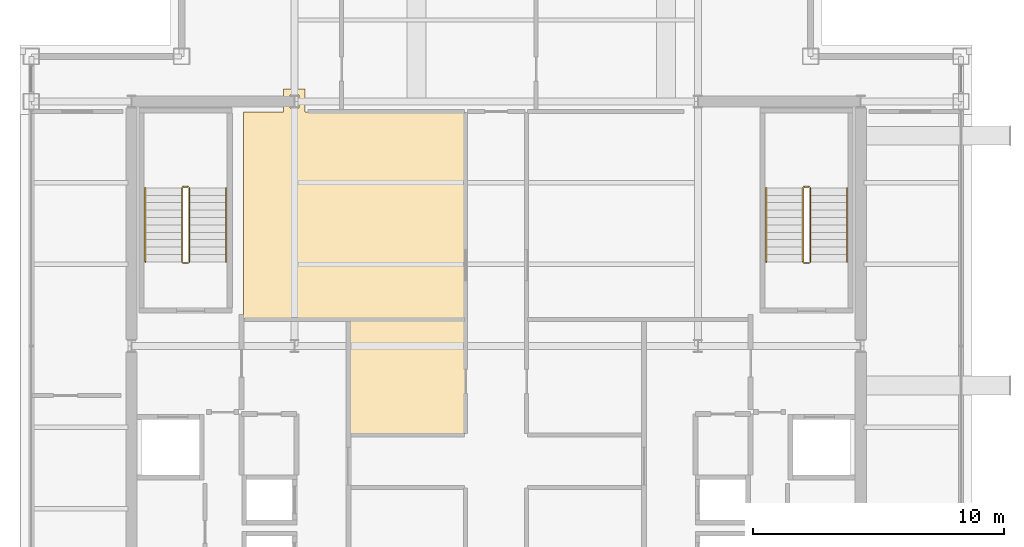
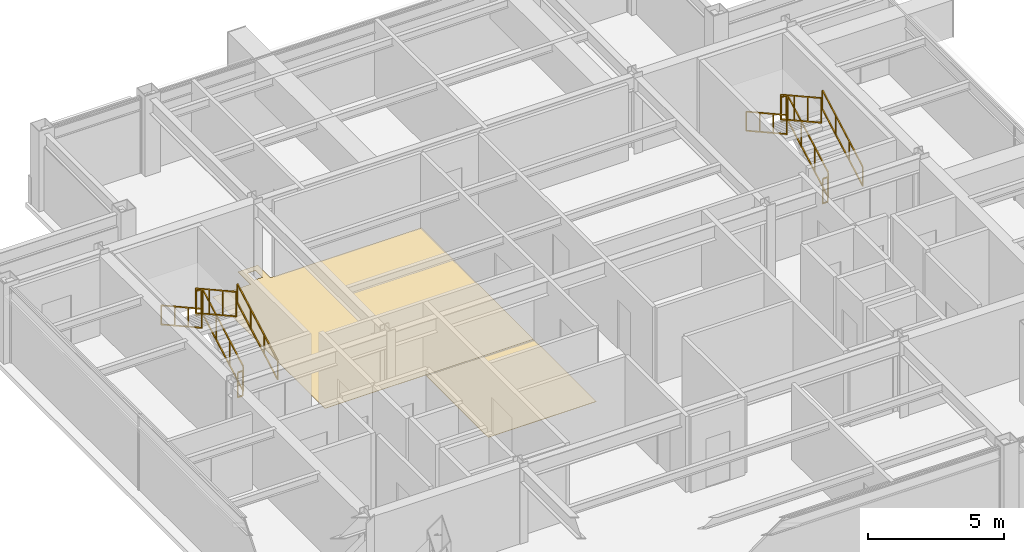
# One storey, part 20 of 20: 12 railings, 2 coverings.
"""IFC4 building model written with IfcOpenShell, lengths in metres."""

from ifc_helpers import new_model, si_unit, direction, frame, origin, origin_2d, place, context, subcontext, project, spatial, polyline, rectangle, outline, extrude, material, layer, layer_set, type_object, element, save


model = new_model("IFC4")

# Units and contexts
model_context = context("Model", 3, precision=1e-05, world=origin(), true_north=direction((0.0, 1.0)))
body_context = subcontext(model_context, "Body", "Model", "MODEL_VIEW")
ifc_project = project(units=[si_unit("LENGTHUNIT", "METRE"), si_unit("AREAUNIT", "SQUARE_METRE"), si_unit("VOLUMEUNIT", "CUBIC_METRE"), si_unit("PLANEANGLEUNIT", "RADIAN"), si_unit("MASSUNIT", "GRAM", prefix="KILO")], contexts=[model_context])

# Site, building, storey
site_placement = place(None, origin())
site = spatial("IfcSite", under=ifc_project, at=site_placement, CompositionType="ELEMENT")
building_placement = place(site_placement, origin())
building = spatial("IfcBuilding", under=site, at=building_placement, Name="Brelmoor Portico Tower", CompositionType="ELEMENT")
storey_placement = place(building_placement, frame((0.0, 0.0, 218.39990234375)))
storey = spatial("IfcBuildingStorey", under=building, at=storey_placement, Name="L57", CompositionType="ELEMENT", Elevation=218.39990234375)

# Coverings
ifc_material_1 = material(Name="Solution-Dyed Nylon Acoustic Carpet Tile", Category="textile")
ifc_layer_1 = layer(ifc_material_1, 0.013916015625)
ifc_layer_set_1 = layer_set([ifc_layer_1], Name="Solution-Dyed Nylon Acoustic Carpet Tile")
covering_type_1 = type_object("IfcCoveringType", Name="CV-FLR-CARPET-14", PredefinedType="FLOORING", material=ifc_layer_set_1)
covering_1_placement = place(storey_placement, origin())
element("IfcCovering", 1, at=covering_1_placement, inside=storey, type_object=covering_type_1, Name="L57 Architectural Floor Finish 01", PredefinedType="FLOORING", context=body_context, shape_type="SweptSolid", body=[
    extrude(outline(polyline([(-10.080078125, 9.330078125), (-8.47509765625, 9.330078125), (-8.47509765625, 10.25), (-7.625, 10.25), (-7.625, 9.330078125), (-1.239990234375, 9.330078125), (-1.239990234375, 1.090087890625), (-10.080078125, 1.090087890625), (-10.080078125, 9.330078125)]), holes=[polyline([(-7.875, 9.5), (-7.875, 10.0), (-8.22509765625, 10.0), (-8.22509765625, 9.5), (-7.875, 9.5)])]), origin(), (0.0, 0.0, 1.0), 0.01416015625),
])
ifc_material_2 = material(Name="Rectified Vitrified Porcelain Floor Tile", Category="ceramic")
ifc_layer_2 = layer(ifc_material_2, 0.01806640625)
ifc_layer_set_2 = layer_set([ifc_layer_2], Name="Rectified Vitrified Porcelain Floor Tile")
covering_type_2 = type_object("IfcCoveringType", Name="CV-FLR-PORCELAIN-18", PredefinedType="FLOORING", material=ifc_layer_set_2)
covering_2_placement = place(storey_placement, origin())
element("IfcCovering", 2, at=covering_2_placement, inside=storey, type_object=covering_type_2, Name="L57 Architectural Floor Finish 02", PredefinedType="FLOORING", context=body_context, shape_type="SweptSolid", body=[
    extrude(outline(polyline([(-5.820068359375, -3.510009765625), (-5.820068359375, 1.0400390625), (-1.239990234375, 1.0400390625), (-1.239990234375, -3.510009765625), (-5.820068359375, -3.510009765625)])), origin(), (0.0, 0.0, 1.0), 0.01806640625),
])

# Railings
ifc_material_3 = material(Name="Painted Tubular Steel Q235B", Category="steel")
railing_type_1 = type_object("IfcRailingType", Name="RL-STAIR-GUARD", PredefinedType="GUARDRAIL", material=ifc_material_3)
railing_1_placement = place(storey_placement, frame((-12.239990234375, 3.35009765625, 0.163818359375)))
element("IfcRailing", 3, at=railing_1_placement, inside=storey, type_object=railing_type_1, Name="L57 ST-W stair guard 1", PredefinedType="GUARDRAIL", context=body_context, shape_type="SweptSolid", body=[
    extrude(rectangle(XDim=0.048095703125, YDim=0.048095703125, at=origin_2d()), frame((0.0, 0.0, 1.1259765625), z_axis=(0.0, 0.87448821551, 0.485046761595), x_axis=(-1.0, 0.0, 0.0)), (0.0, 0.0, 1.0), 3.373291015625),
    extrude(rectangle(XDim=0.048095703125, YDim=0.048095703125, at=origin_2d()), frame((0.0, 0.0, 0.02392578125), z_axis=(0.0, 0.87448821551, 0.485046761595), x_axis=(-1.0, 0.0, 0.0)), (0.0, 0.0, 1.0), 3.373291015625),
    extrude(rectangle(XDim=0.0419921875, YDim=0.0419921875, at=origin_2d()), origin(), (0.0, 0.0, 1.0), 1.101806640625),
    extrude(rectangle(XDim=0.0419921875, YDim=0.0419921875, at=origin_2d()), frame((0.0, 0.9833984375, 0.54541015625)), (0.0, 0.0, 1.0), 1.101806640625),
    extrude(rectangle(XDim=0.0419921875, YDim=0.0419921875, at=origin_2d()), frame((0.0, 1.966552734375, 1.0908203125)), (0.0, 0.0, 1.0), 1.101806640625),
    extrude(rectangle(XDim=0.0419921875, YDim=0.0419921875, at=origin_2d()), frame((0.0, 2.949951171875, 1.63623046875)), (0.0, 0.0, 1.0), 1.101806640625),
])
railing_2_placement = place(storey_placement, frame((-12.2900390625, 6.35009765625, 1.800048828125)))
element("IfcRailing", 4, at=railing_2_placement, inside=storey, type_object=railing_type_1, Name="L57 ST-W stair guard 2", PredefinedType="GUARDRAIL", context=body_context, shape_type="SweptSolid", body=[
    extrude(rectangle(XDim=0.048095703125, YDim=0.048095703125, at=origin_2d()), frame((0.0, 0.0, 1.1259765625), z_axis=(-1.0, 0.0, 0.0), x_axis=(0.0, -1.0, 0.0)), (0.0, 0.0, 1.0), 0.199951171875),
    extrude(rectangle(XDim=0.048095703125, YDim=0.048095703125, at=origin_2d()), frame((0.0, 0.0, 0.02392578125), z_axis=(-1.0, 0.0, 0.0), x_axis=(0.0, -1.0, 0.0)), (0.0, 0.0, 1.0), 0.199951171875),
    extrude(rectangle(XDim=0.0419921875, YDim=0.0419921875, at=origin_2d()), origin(), (0.0, 0.0, 1.0), 1.101806640625),
    extrude(rectangle(XDim=0.0419921875, YDim=0.0419921875, at=origin_2d()), frame((-0.199951171875, 0.0, 0.0)), (0.0, 0.0, 1.0), 1.101806640625),
])
railing_3_placement = place(storey_placement, frame((-12.5400390625, 6.300048828125, 1.963623046875)))
element("IfcRailing", 5, at=railing_3_placement, inside=storey, type_object=railing_type_1, Name="L57 ST-W stair guard 3", PredefinedType="GUARDRAIL", context=body_context, shape_type="SweptSolid", body=[
    extrude(rectangle(XDim=0.048095703125, YDim=0.048095703125, at=origin_2d()), frame((0.0, 0.0, 1.1259765625), z_axis=(0.0, -0.874457516365, 0.485102104791), x_axis=(1.0, 0.0, 0.0)), (0.0, 0.0, 1.0), 3.37353515625),
    extrude(rectangle(XDim=0.048095703125, YDim=0.048095703125, at=origin_2d()), frame((0.0, 0.0, 0.02392578125), z_axis=(0.0, -0.874457516365, 0.485102104791), x_axis=(1.0, 0.0, 0.0)), (0.0, 0.0, 1.0), 3.37353515625),
    extrude(rectangle(XDim=0.0419921875, YDim=0.0419921875, at=origin_2d()), origin(), (0.0, 0.0, 1.0), 1.101806640625),
    extrude(rectangle(XDim=0.0419921875, YDim=0.0419921875, at=origin_2d()), frame((0.0, -0.9833984375, 0.54541015625)), (0.0, 0.0, 1.0), 1.101806640625),
    extrude(rectangle(XDim=0.0419921875, YDim=0.0419921875, at=origin_2d()), frame((0.0, -1.966552734375, 1.091064453125)), (0.0, 0.0, 1.0), 1.101806640625),
    extrude(rectangle(XDim=0.0419921875, YDim=0.0419921875, at=origin_2d()), frame((0.0, -2.949951171875, 1.636474609375)), (0.0, 0.0, 1.0), 1.101806640625),
])
railing_4_placement = place(storey_placement, frame((-12.2900390625, 3.300048828125, 0.0)))
element("IfcRailing", 6, at=railing_4_placement, inside=storey, type_object=railing_type_1, Name="L57 ST-W stair guard 4", PredefinedType="GUARDRAIL", context=body_context, shape_type="SweptSolid", body=[
    extrude(rectangle(XDim=0.048095703125, YDim=0.048095703125, at=origin_2d()), frame((0.0, 0.0, 1.1259765625), z_axis=(-1.0, 0.0, 0.0), x_axis=(0.0, -1.0, 0.0)), (0.0, 0.0, 1.0), 0.199951171875),
    extrude(rectangle(XDim=0.048095703125, YDim=0.048095703125, at=origin_2d()), frame((0.0, 0.0, 0.02392578125), z_axis=(-1.0, 0.0, 0.0), x_axis=(0.0, -1.0, 0.0)), (0.0, 0.0, 1.0), 0.199951171875),
    extrude(rectangle(XDim=0.0419921875, YDim=0.0419921875, at=origin_2d()), origin(), (0.0, 0.0, 1.0), 1.101806640625),
    extrude(rectangle(XDim=0.0419921875, YDim=0.0419921875, at=origin_2d()), frame((-0.199951171875, 0.0, 0.0)), (0.0, 0.0, 1.0), 1.101806640625),
])
railing_5_placement = place(storey_placement, frame((12.5400390625, 3.35009765625, 0.163818359375)))
element("IfcRailing", 7, at=railing_5_placement, inside=storey, type_object=railing_type_1, Name="L57 ST-E stair guard 1", PredefinedType="GUARDRAIL", context=body_context, shape_type="SweptSolid", body=[
    extrude(rectangle(XDim=0.048095703125, YDim=0.048095703125, at=origin_2d()), frame((0.0, 0.0, 1.1259765625), z_axis=(0.0, 0.87448821551, 0.485046761595), x_axis=(-1.0, 0.0, 0.0)), (0.0, 0.0, 1.0), 3.373291015625),
    extrude(rectangle(XDim=0.048095703125, YDim=0.048095703125, at=origin_2d()), frame((0.0, 0.0, 0.02392578125), z_axis=(0.0, 0.87448821551, 0.485046761595), x_axis=(-1.0, 0.0, 0.0)), (0.0, 0.0, 1.0), 3.373291015625),
    extrude(rectangle(XDim=0.0419921875, YDim=0.0419921875, at=origin_2d()), origin(), (0.0, 0.0, 1.0), 1.101806640625),
    extrude(rectangle(XDim=0.0419921875, YDim=0.0419921875, at=origin_2d()), frame((0.0, 0.9833984375, 0.54541015625)), (0.0, 0.0, 1.0), 1.101806640625),
    extrude(rectangle(XDim=0.0419921875, YDim=0.0419921875, at=origin_2d()), frame((0.0, 1.966552734375, 1.0908203125)), (0.0, 0.0, 1.0), 1.101806640625),
    extrude(rectangle(XDim=0.0419921875, YDim=0.0419921875, at=origin_2d()), frame((0.0, 2.949951171875, 1.63623046875)), (0.0, 0.0, 1.0), 1.101806640625),
])
railing_6_placement = place(storey_placement, frame((12.489990234375, 6.35009765625, 1.800048828125)))
element("IfcRailing", 8, at=railing_6_placement, inside=storey, type_object=railing_type_1, Name="L57 ST-E stair guard 2", PredefinedType="GUARDRAIL", context=body_context, shape_type="SweptSolid", body=[
    extrude(rectangle(XDim=0.048095703125, YDim=0.048095703125, at=origin_2d()), frame((0.0, 0.0, 1.1259765625), z_axis=(-1.0, 0.0, 0.0), x_axis=(0.0, -1.0, 0.0)), (0.0, 0.0, 1.0), 0.199951171875),
    extrude(rectangle(XDim=0.048095703125, YDim=0.048095703125, at=origin_2d()), frame((0.0, 0.0, 0.02392578125), z_axis=(-1.0, 0.0, 0.0), x_axis=(0.0, -1.0, 0.0)), (0.0, 0.0, 1.0), 0.199951171875),
    extrude(rectangle(XDim=0.0419921875, YDim=0.0419921875, at=origin_2d()), origin(), (0.0, 0.0, 1.0), 1.101806640625),
    extrude(rectangle(XDim=0.0419921875, YDim=0.0419921875, at=origin_2d()), frame((-0.199951171875, 0.0, 0.0)), (0.0, 0.0, 1.0), 1.101806640625),
])
railing_7_placement = place(storey_placement, frame((12.239990234375, 6.300048828125, 1.963623046875)))
element("IfcRailing", 9, at=railing_7_placement, inside=storey, type_object=railing_type_1, Name="L57 ST-E stair guard 3", PredefinedType="GUARDRAIL", context=body_context, shape_type="SweptSolid", body=[
    extrude(rectangle(XDim=0.048095703125, YDim=0.048095703125, at=origin_2d()), frame((0.0, 0.0, 1.1259765625), z_axis=(0.0, -0.874457516365, 0.485102104791), x_axis=(1.0, 0.0, 0.0)), (0.0, 0.0, 1.0), 3.37353515625),
    extrude(rectangle(XDim=0.048095703125, YDim=0.048095703125, at=origin_2d()), frame((0.0, 0.0, 0.02392578125), z_axis=(0.0, -0.874457516365, 0.485102104791), x_axis=(1.0, 0.0, 0.0)), (0.0, 0.0, 1.0), 3.37353515625),
    extrude(rectangle(XDim=0.0419921875, YDim=0.0419921875, at=origin_2d()), origin(), (0.0, 0.0, 1.0), 1.101806640625),
    extrude(rectangle(XDim=0.0419921875, YDim=0.0419921875, at=origin_2d()), frame((0.0, -0.9833984375, 0.54541015625)), (0.0, 0.0, 1.0), 1.101806640625),
    extrude(rectangle(XDim=0.0419921875, YDim=0.0419921875, at=origin_2d()), frame((0.0, -1.966552734375, 1.091064453125)), (0.0, 0.0, 1.0), 1.101806640625),
    extrude(rectangle(XDim=0.0419921875, YDim=0.0419921875, at=origin_2d()), frame((0.0, -2.949951171875, 1.636474609375)), (0.0, 0.0, 1.0), 1.101806640625),
])
railing_8_placement = place(storey_placement, frame((12.489990234375, 3.300048828125, 0.0)))
element("IfcRailing", 10, at=railing_8_placement, inside=storey, type_object=railing_type_1, Name="L57 ST-E stair guard 4", PredefinedType="GUARDRAIL", context=body_context, shape_type="SweptSolid", body=[
    extrude(rectangle(XDim=0.048095703125, YDim=0.048095703125, at=origin_2d()), frame((0.0, 0.0, 1.1259765625), z_axis=(-1.0, 0.0, 0.0), x_axis=(0.0, -1.0, 0.0)), (0.0, 0.0, 1.0), 0.199951171875),
    extrude(rectangle(XDim=0.048095703125, YDim=0.048095703125, at=origin_2d()), frame((0.0, 0.0, 0.02392578125), z_axis=(-1.0, 0.0, 0.0), x_axis=(0.0, -1.0, 0.0)), (0.0, 0.0, 1.0), 0.199951171875),
    extrude(rectangle(XDim=0.0419921875, YDim=0.0419921875, at=origin_2d()), origin(), (0.0, 0.0, 1.0), 1.101806640625),
    extrude(rectangle(XDim=0.0419921875, YDim=0.0419921875, at=origin_2d()), frame((-0.199951171875, 0.0, 0.0)), (0.0, 0.0, 1.0), 1.101806640625),
])
ifc_material_4 = material(Name="Brushed Stainless Steel 304", Category="steel")
railing_type_2 = type_object("IfcRailingType", Name="RL-STAIR-HANDRAIL", PredefinedType="HANDRAIL", material=ifc_material_4)
railing_9_placement = place(storey_placement, frame((-10.780029296875, 3.35009765625, 0.163818359375)))
element("IfcRailing", 11, at=railing_9_placement, inside=storey, type_object=railing_type_2, Name="L57 ST-W stair handrail 1", PredefinedType="HANDRAIL", context=body_context, shape_type="SweptSolid", body=[
    extrude(rectangle(XDim=0.048095703125, YDim=0.048095703125, at=origin_2d()), frame((0.0, 0.0, 0.8759765625), z_axis=(0.0, 0.87448821551, 0.485046761595), x_axis=(-1.0, 0.0, 0.0)), (0.0, 0.0, 1.0), 3.373291015625),
    extrude(rectangle(XDim=0.048095703125, YDim=0.048095703125, at=origin_2d()), frame((0.0, 0.0, 0.02392578125), z_axis=(0.0, 0.87448821551, 0.485046761595), x_axis=(-1.0, 0.0, 0.0)), (0.0, 0.0, 1.0), 3.373291015625),
    extrude(rectangle(XDim=0.0419921875, YDim=0.0419921875, at=origin_2d()), origin(), (0.0, 0.0, 1.0), 0.851806640625),
    extrude(rectangle(XDim=0.0419921875, YDim=0.0419921875, at=origin_2d()), frame((0.0, 0.9833984375, 0.54541015625)), (0.0, 0.0, 1.0), 0.851806640625),
    extrude(rectangle(XDim=0.0419921875, YDim=0.0419921875, at=origin_2d()), frame((0.0, 1.966552734375, 1.0908203125)), (0.0, 0.0, 1.0), 0.851806640625),
    extrude(rectangle(XDim=0.0419921875, YDim=0.0419921875, at=origin_2d()), frame((0.0, 2.949951171875, 1.63623046875)), (0.0, 0.0, 1.0), 0.851806640625),
])
railing_10_placement = place(storey_placement, frame((-14.0, 6.300048828125, 1.963623046875)))
element("IfcRailing", 12, at=railing_10_placement, inside=storey, type_object=railing_type_2, Name="L57 ST-W stair handrail 2", PredefinedType="HANDRAIL", context=body_context, shape_type="SweptSolid", body=[
    extrude(rectangle(XDim=0.048095703125, YDim=0.048095703125, at=origin_2d()), frame((0.0, 0.0, 0.8759765625), z_axis=(0.0, -0.874457516365, 0.485102104791), x_axis=(1.0, 0.0, 0.0)), (0.0, 0.0, 1.0), 3.37353515625),
    extrude(rectangle(XDim=0.048095703125, YDim=0.048095703125, at=origin_2d()), frame((0.0, 0.0, 0.02392578125), z_axis=(0.0, -0.874457516365, 0.485102104791), x_axis=(1.0, 0.0, 0.0)), (0.0, 0.0, 1.0), 3.37353515625),
    extrude(rectangle(XDim=0.0419921875, YDim=0.0419921875, at=origin_2d()), origin(), (0.0, 0.0, 1.0), 0.851806640625),
    extrude(rectangle(XDim=0.0419921875, YDim=0.0419921875, at=origin_2d()), frame((0.0, -0.9833984375, 0.54541015625)), (0.0, 0.0, 1.0), 0.851806640625),
    extrude(rectangle(XDim=0.0419921875, YDim=0.0419921875, at=origin_2d()), frame((0.0, -1.966552734375, 1.091064453125)), (0.0, 0.0, 1.0), 0.851806640625),
    extrude(rectangle(XDim=0.0419921875, YDim=0.0419921875, at=origin_2d()), frame((0.0, -2.949951171875, 1.636474609375)), (0.0, 0.0, 1.0), 0.851806640625),
])
railing_11_placement = place(storey_placement, frame((14.0, 3.35009765625, 0.163818359375)))
element("IfcRailing", 13, at=railing_11_placement, inside=storey, type_object=railing_type_2, Name="L57 ST-E stair handrail 1", PredefinedType="HANDRAIL", context=body_context, shape_type="SweptSolid", body=[
    extrude(rectangle(XDim=0.048095703125, YDim=0.048095703125, at=origin_2d()), frame((0.0, 0.0, 0.8759765625), z_axis=(0.0, 0.87448821551, 0.485046761595), x_axis=(-1.0, 0.0, 0.0)), (0.0, 0.0, 1.0), 3.373291015625),
    extrude(rectangle(XDim=0.048095703125, YDim=0.048095703125, at=origin_2d()), frame((0.0, 0.0, 0.02392578125), z_axis=(0.0, 0.87448821551, 0.485046761595), x_axis=(-1.0, 0.0, 0.0)), (0.0, 0.0, 1.0), 3.373291015625),
    extrude(rectangle(XDim=0.0419921875, YDim=0.0419921875, at=origin_2d()), origin(), (0.0, 0.0, 1.0), 0.851806640625),
    extrude(rectangle(XDim=0.0419921875, YDim=0.0419921875, at=origin_2d()), frame((0.0, 0.9833984375, 0.54541015625)), (0.0, 0.0, 1.0), 0.851806640625),
    extrude(rectangle(XDim=0.0419921875, YDim=0.0419921875, at=origin_2d()), frame((0.0, 1.966552734375, 1.0908203125)), (0.0, 0.0, 1.0), 0.851806640625),
    extrude(rectangle(XDim=0.0419921875, YDim=0.0419921875, at=origin_2d()), frame((0.0, 2.949951171875, 1.63623046875)), (0.0, 0.0, 1.0), 0.851806640625),
])
railing_12_placement = place(storey_placement, frame((10.780029296875, 6.300048828125, 1.963623046875)))
element("IfcRailing", 14, at=railing_12_placement, inside=storey, type_object=railing_type_2, Name="L57 ST-E stair handrail 2", PredefinedType="HANDRAIL", context=body_context, shape_type="SweptSolid", body=[
    extrude(rectangle(XDim=0.048095703125, YDim=0.048095703125, at=origin_2d()), frame((0.0, 0.0, 0.8759765625), z_axis=(0.0, -0.874457516365, 0.485102104791), x_axis=(1.0, 0.0, 0.0)), (0.0, 0.0, 1.0), 3.37353515625),
    extrude(rectangle(XDim=0.048095703125, YDim=0.048095703125, at=origin_2d()), frame((0.0, 0.0, 0.02392578125), z_axis=(0.0, -0.874457516365, 0.485102104791), x_axis=(1.0, 0.0, 0.0)), (0.0, 0.0, 1.0), 3.37353515625),
    extrude(rectangle(XDim=0.0419921875, YDim=0.0419921875, at=origin_2d()), origin(), (0.0, 0.0, 1.0), 0.851806640625),
    extrude(rectangle(XDim=0.0419921875, YDim=0.0419921875, at=origin_2d()), frame((0.0, -0.9833984375, 0.54541015625)), (0.0, 0.0, 1.0), 0.851806640625),
    extrude(rectangle(XDim=0.0419921875, YDim=0.0419921875, at=origin_2d()), frame((0.0, -1.966552734375, 1.091064453125)), (0.0, 0.0, 1.0), 0.851806640625),
    extrude(rectangle(XDim=0.0419921875, YDim=0.0419921875, at=origin_2d()), frame((0.0, -2.949951171875, 1.636474609375)), (0.0, 0.0, 1.0), 0.851806640625),
])

save(model, "model.ifc")
